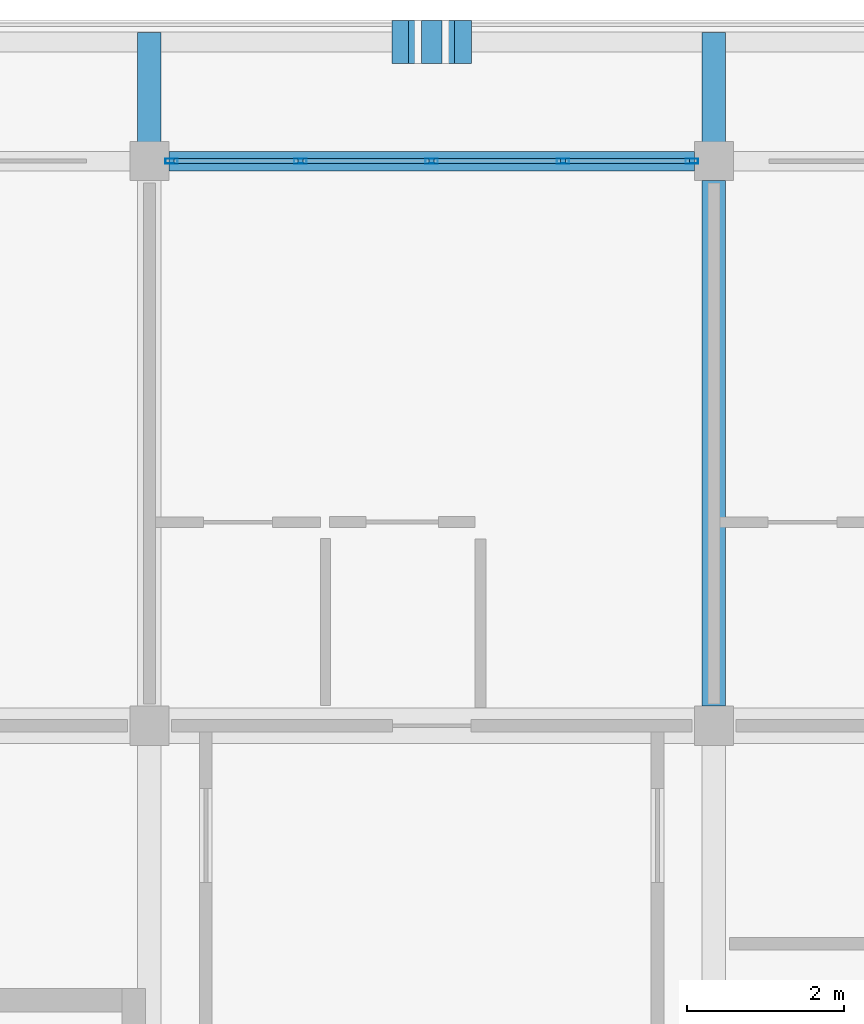
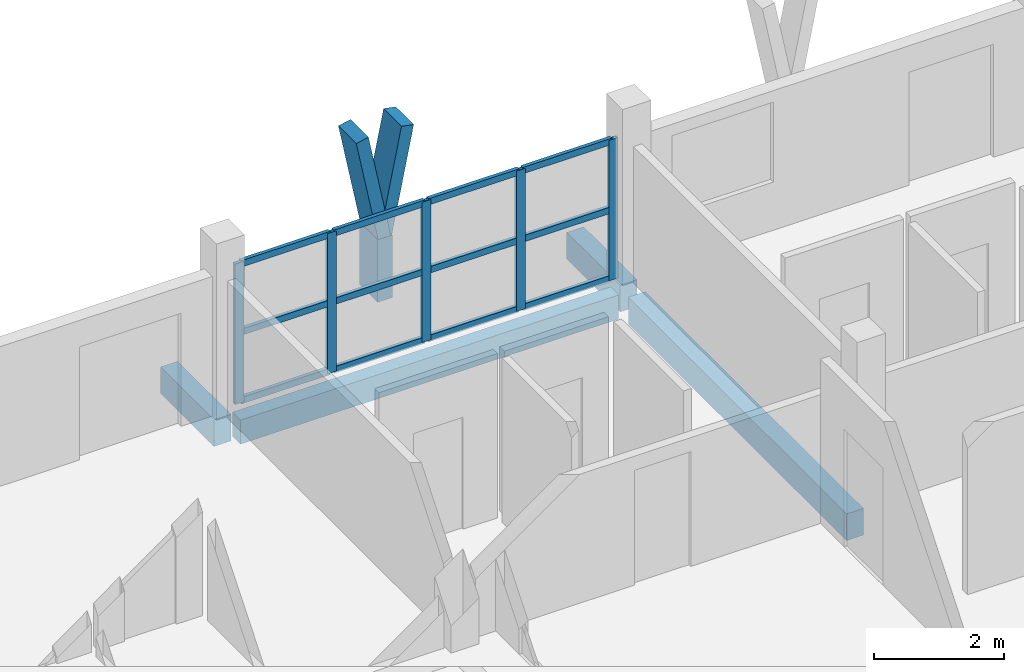
# One storey, part 9 of 19: 20 members, 4 beams, 1 element without a shape of its own.
"""IFC4 building model written with IfcOpenShell, lengths in metres."""

from ifc_helpers import new_model, si_unit, direction, frame, origin, origin_2d, place, context, subcontext, project, spatial, rectangle, hollow_rectangle, extrude, material, material_profile, profile_set, type_object, element, aggregate, save


model = new_model("IFC4")

# Units and contexts
model_context = context("Model", 3, precision=1e-05, world=origin(), true_north=direction((0.0, 1.0)))
body_context = subcontext(model_context, "Body", "Model", "MODEL_VIEW")
ifc_project = project(units=[si_unit("LENGTHUNIT", "METRE"), si_unit("AREAUNIT", "SQUARE_METRE"), si_unit("VOLUMEUNIT", "CUBIC_METRE"), si_unit("PLANEANGLEUNIT", "RADIAN"), si_unit("MASSUNIT", "GRAM", prefix="KILO")], contexts=[model_context])

# Site, building, storey
site_placement = place(None, origin())
site = spatial("IfcSite", under=ifc_project, at=site_placement, CompositionType="ELEMENT")
building_placement = place(site_placement, origin())
building = spatial("IfcBuilding", under=site, at=building_placement, Name="Suanplinth Sawtooth Commons", CompositionType="ELEMENT")
storey_placement = place(building_placement, frame((0.0, 0.0, 44.39990234375)))
storey = spatial("IfcBuildingStorey", under=building, at=storey_placement, Name="L13", CompositionType="ELEMENT", Elevation=44.39990234375)

# Beams
ifc_material_1 = material(Name="Precast concrete C40/50", Category="concrete")
ifc_material_profile_1 = material_profile(ifc_material_1, rectangle(XDim=0.300048828125, YDim=0.5, at=origin_2d()), Name="PC-BM 300x500")
ifc_profile_set_1 = profile_set([ifc_material_profile_1], Name="Precast concrete C40/50")
beam_type_1 = type_object("IfcBeamType", Name="B-07", PredefinedType="BEAM", material=ifc_profile_set_1)
beam_1_placement = place(storey_placement, frame((72.0, 115.449951171875, -0.5), z_axis=(0.0, 1.0, 0.0), x_axis=(-1.0, 0.0, 0.0)))
element("IfcBeam", 1, at=beam_1_placement, inside=storey, type_object=beam_type_1, Name="BMY-L13-A-10-16", PredefinedType="BEAM", context=body_context, shape_type="SweptSolid", body=[
    extrude(rectangle(XDim=0.300048828125, YDim=0.5, at=origin_2d()), origin(), (0.0, 0.0, 1.0), 6.699951171875),
])
for number, where, z_axis, x_axis, name in (
    (2, (64.800048828125, 122.39990234375, -0.429931640625), (0.0, 1.0, 0.0), (-1.0, 0.0, 0.0), "Balcony Outrigger L13-A-N-9"),
    (3, (72.0, 122.39990234375, -0.429931640625), (0.0, 1.0, 0.0), (-1.0, 0.0, 0.0), "Balcony Outrigger L13-A-N-10"),
):
    element("IfcBeam", number, at=place(storey_placement, frame(where, z_axis=z_axis, x_axis=x_axis)), inside=storey, type_object=beam_type_1, Name=name, PredefinedType="BEAM", context=body_context, shape_type="SweptSolid", body=[
        extrude(rectangle(XDim=0.300048828125, YDim=0.5, at=origin_2d()), origin(), (0.0, 0.0, 1.0), 1.64013671875),
    ])
ifc_material_profile_2 = material_profile(ifc_material_1, rectangle(XDim=0.25, YDim=0.449951171875, at=origin_2d()), Name="PC-SP 250x450")
ifc_profile_set_2 = profile_set([ifc_material_profile_2], Name="Precast concrete C40/50")
beam_type_2 = type_object("IfcBeamType", Name="B-09", PredefinedType="SPANDREL", material=ifc_profile_set_2)
beam_2_placement = place(storey_placement, frame((65.050048828125, 122.39990234375, -0.474853515625), z_axis=(1.0, 0.0, 0.0), x_axis=(0.0, 1.0, 0.0)))
element("IfcBeam", 4, at=beam_2_placement, inside=storey, type_object=beam_type_2, Name="BMX-L13-A-9-17", PredefinedType="SPANDREL", context=body_context, shape_type="SweptSolid", body=[
    extrude(rectangle(XDim=0.25, YDim=0.449951171875, at=origin_2d()), origin(), (0.0, 0.0, 1.0), 6.699951171875),
])

# Members
ifc_material_2 = material(Name="Pigmented precast concrete C40/50", Category="concrete")
ifc_material_profile_3 = material_profile(ifc_material_2, rectangle(XDim=0.260009765625, YDim=0.550048828125, at=origin_2d()), Name="PC-FIN 260x550")
ifc_profile_set_3 = profile_set([ifc_material_profile_3], Name="Pigmented precast concrete C40/50")
member_type_1 = type_object("IfcMemberType", Name="M-09", PredefinedType="USERDEFINED", material=ifc_profile_set_3)
member_1_placement = place(storey_placement, frame((68.39990234375, 123.919921875, 0.0), z_axis=(0.0, 0.0, 1.0), x_axis=(1.0, 0.0, 0.0)))
element("IfcMember", 5, at=member_1_placement, inside=storey, type_object=member_type_1, Name="Y-Blade Stem L13-A-N-02", ObjectType="SHADING FIN", PredefinedType="USERDEFINED", context=body_context, shape_type="SweptSolid", body=[
    extrude(rectangle(XDim=0.260009765625, YDim=0.550048828125, at=origin_2d()), origin(), (0.0, 0.0, 1.0), 1.170166015625),
])
ifc_material_profile_4 = material_profile(ifc_material_2, rectangle(XDim=0.219970703125, YDim=0.550048828125, at=origin_2d()), Name="PC-FIN 220x550")
ifc_profile_set_4 = profile_set([ifc_material_profile_4], Name="Pigmented precast concrete C40/50")
member_type_2 = type_object("IfcMemberType", Name="M-10", PredefinedType="USERDEFINED", material=ifc_profile_set_4)
for number, where, z_axis, x_axis, name in (
    (6, (68.39990234375, 123.919921875, 1.130126953125), (-0.196415357203, 0.0, 0.980520783795), (0.980520783795, 0.0, 0.196415357203), "Y-Blade Arm L L13-A-N-02"),
    (7, (68.39990234375, 123.919921875, 1.130126953125), (0.196530428008, 0.0, 0.98049772609), (-0.98049772609, 0.0, 0.196530428008), "Y-Blade Arm R L13-A-N-02"),
):
    element("IfcMember", number, at=place(storey_placement, frame(where, z_axis=z_axis, x_axis=x_axis)), inside=storey, type_object=member_type_2, Name=name, ObjectType="SHADING FIN", PredefinedType="USERDEFINED", context=body_context, shape_type="SweptSolid", body=[
        extrude(rectangle(XDim=0.219970703125, YDim=0.550048828125, at=origin_2d()), origin(), (0.0, 0.0, 1.0), 2.039794921875),
    ])

# Curtain wall, members
ifc_material_3 = material(Name="Anodized aluminium and low-E glazing", Category="aluminium")
curtain_wall_type = type_object("IfcCurtainWallType", Name="CW-06", PredefinedType="USERDEFINED", material=ifc_material_3)
curtain_wall_placement = place(storey_placement, origin())
curtain_wall = element("IfcCurtainWall", 8, at=curtain_wall_placement, inside=storey, type_object=curtain_wall_type, Name="Curtain Wall CW-L13-A-LOUNGE-5", ObjectType="CURTAIN WALL", PredefinedType="USERDEFINED")
ifc_material_4 = material(Name="Anodized aluminium 6063-T6", Category="aluminium")
ifc_material_profile_5 = material_profile(ifc_material_4, hollow_rectangle(XDim=0.06494140625, YDim=0.159912109375, WallThickness=0.00390625, at=origin_2d()), Name="ALU-MUL 65x160")
ifc_profile_set_5 = profile_set([ifc_material_profile_5], Name="Anodized aluminium 6063-T6")
member_type_3 = type_object("IfcMemberType", Name="M-13", PredefinedType="MULLION", material=ifc_profile_set_5)
member_2_placement = place(storey_placement, frame((65.08251953125, 122.39990234375, 0.0), z_axis=(0.0, 0.0, 1.0), x_axis=(0.0, 1.0, 0.0)))
member_2 = element("IfcMember", 9, at=member_2_placement, type_object=member_type_3, Name="CW-06 mullion 1", PredefinedType="MULLION", context=body_context, shape_type="SweptSolid", body=[
    extrude(hollow_rectangle(XDim=0.06494140625, YDim=0.159912109375, WallThickness=0.00390625, at=origin_2d()), origin(), (0.0, 0.0, 1.0), 2.630126953125),
])
member_3_placement = place(storey_placement, frame((66.72509765625, 122.39990234375, 0.0), z_axis=(0.0, 0.0, 1.0), x_axis=(0.0, 1.0, 0.0)))
member_3 = element("IfcMember", 10, at=member_3_placement, type_object=member_type_3, Name="CW-06 mullion 2", PredefinedType="MULLION", context=body_context, shape_type="SweptSolid", body=[
    extrude(hollow_rectangle(XDim=0.06494140625, YDim=0.159912109375, WallThickness=0.00390625, at=origin_2d()), origin(), (0.0, 0.0, 1.0), 2.630126953125),
])
member_4_placement = place(storey_placement, frame((68.39990234375, 122.39990234375, 0.0), z_axis=(0.0, 0.0, 1.0), x_axis=(0.0, 1.0, 0.0)))
member_4 = element("IfcMember", 11, at=member_4_placement, type_object=member_type_3, Name="CW-06 mullion 3", PredefinedType="MULLION", context=body_context, shape_type="SweptSolid", body=[
    extrude(hollow_rectangle(XDim=0.06494140625, YDim=0.159912109375, WallThickness=0.00390625, at=origin_2d()), origin(), (0.0, 0.0, 1.0), 2.630126953125),
])
member_5_placement = place(storey_placement, frame((70.074951171875, 122.39990234375, 0.0), z_axis=(0.0, 0.0, 1.0), x_axis=(0.0, 1.0, 0.0)))
member_5 = element("IfcMember", 12, at=member_5_placement, type_object=member_type_3, Name="CW-06 mullion 4", PredefinedType="MULLION", context=body_context, shape_type="SweptSolid", body=[
    extrude(hollow_rectangle(XDim=0.06494140625, YDim=0.159912109375, WallThickness=0.00390625, at=origin_2d()), origin(), (0.0, 0.0, 1.0), 2.630126953125),
])
member_6_placement = place(storey_placement, frame((71.717529296875, 122.39990234375, 0.0), z_axis=(0.0, 0.0, 1.0), x_axis=(0.0, 1.0, 0.0)))
member_6 = element("IfcMember", 13, at=member_6_placement, type_object=member_type_3, Name="CW-06 mullion 5", PredefinedType="MULLION", context=body_context, shape_type="SweptSolid", body=[
    extrude(hollow_rectangle(XDim=0.06494140625, YDim=0.159912109375, WallThickness=0.00390625, at=origin_2d()), origin(), (0.0, 0.0, 1.0), 2.630126953125),
])
ifc_material_profile_6 = material_profile(ifc_material_4, hollow_rectangle(XDim=0.06494140625, YDim=0.1201171875, WallThickness=0.00390625, at=origin_2d()), Name="ALU-TRN 65x120")
ifc_profile_set_6 = profile_set([ifc_material_profile_6], Name="Anodized aluminium 6063-T6")
member_type_4 = type_object("IfcMemberType", Name="M-15", PredefinedType="USERDEFINED", material=ifc_profile_set_6)
member_7_placement = place(storey_placement, frame((65.114990234375, 122.39990234375, 0.03271484375), z_axis=(1.0, 0.0, 0.0), x_axis=(0.0, 1.0, 0.0)))
member_7 = element("IfcMember", 14, at=member_7_placement, type_object=member_type_4, Name="CW-06 transom 1.1", ObjectType="TRANSOM", PredefinedType="USERDEFINED", context=body_context, shape_type="SweptSolid", body=[
    extrude(hollow_rectangle(XDim=0.06494140625, YDim=0.1201171875, WallThickness=0.00390625, at=origin_2d()), origin(), (0.0, 0.0, 1.0), 1.577392578125),
])
member_8_placement = place(storey_placement, frame((65.114990234375, 122.39990234375, 1.315185546875), z_axis=(1.0, 0.0, 0.0), x_axis=(0.0, 1.0, 0.0)))
member_8 = element("IfcMember", 15, at=member_8_placement, type_object=member_type_4, Name="CW-06 transom 1.2", ObjectType="TRANSOM", PredefinedType="USERDEFINED", context=body_context, shape_type="SweptSolid", body=[
    extrude(hollow_rectangle(XDim=0.06494140625, YDim=0.1201171875, WallThickness=0.00390625, at=origin_2d()), origin(), (0.0, 0.0, 1.0), 1.577392578125),
])
member_9_placement = place(storey_placement, frame((65.114990234375, 122.39990234375, 2.59765625), z_axis=(1.0, 0.0, 0.0), x_axis=(0.0, 1.0, 0.0)))
member_9 = element("IfcMember", 16, at=member_9_placement, type_object=member_type_4, Name="CW-06 transom 1.3", ObjectType="TRANSOM", PredefinedType="USERDEFINED", context=body_context, shape_type="SweptSolid", body=[
    extrude(hollow_rectangle(XDim=0.06494140625, YDim=0.1201171875, WallThickness=0.00390625, at=origin_2d()), origin(), (0.0, 0.0, 1.0), 1.577392578125),
])
member_10_placement = place(storey_placement, frame((66.757568359375, 122.39990234375, 0.03271484375), z_axis=(1.0, 0.0, 0.0), x_axis=(0.0, 1.0, 0.0)))
member_10 = element("IfcMember", 17, at=member_10_placement, type_object=member_type_4, Name="CW-06 transom 2.1", ObjectType="TRANSOM", PredefinedType="USERDEFINED", context=body_context, shape_type="SweptSolid", body=[
    extrude(hollow_rectangle(XDim=0.06494140625, YDim=0.1201171875, WallThickness=0.00390625, at=origin_2d()), origin(), (0.0, 0.0, 1.0), 1.60986328125),
])
member_11_placement = place(storey_placement, frame((66.757568359375, 122.39990234375, 1.315185546875), z_axis=(1.0, 0.0, 0.0), x_axis=(0.0, 1.0, 0.0)))
member_11 = element("IfcMember", 18, at=member_11_placement, type_object=member_type_4, Name="CW-06 transom 2.2", ObjectType="TRANSOM", PredefinedType="USERDEFINED", context=body_context, shape_type="SweptSolid", body=[
    extrude(hollow_rectangle(XDim=0.06494140625, YDim=0.1201171875, WallThickness=0.00390625, at=origin_2d()), origin(), (0.0, 0.0, 1.0), 1.60986328125),
])
member_12_placement = place(storey_placement, frame((66.757568359375, 122.39990234375, 2.59765625), z_axis=(1.0, 0.0, 0.0), x_axis=(0.0, 1.0, 0.0)))
member_12 = element("IfcMember", 19, at=member_12_placement, type_object=member_type_4, Name="CW-06 transom 2.3", ObjectType="TRANSOM", PredefinedType="USERDEFINED", context=body_context, shape_type="SweptSolid", body=[
    extrude(hollow_rectangle(XDim=0.06494140625, YDim=0.1201171875, WallThickness=0.00390625, at=origin_2d()), origin(), (0.0, 0.0, 1.0), 1.60986328125),
])
member_13_placement = place(storey_placement, frame((68.4326171875, 122.39990234375, 0.03271484375), z_axis=(1.0, 0.0, 0.0), x_axis=(0.0, 1.0, 0.0)))
member_13 = element("IfcMember", 20, at=member_13_placement, type_object=member_type_4, Name="CW-06 transom 3.1", ObjectType="TRANSOM", PredefinedType="USERDEFINED", context=body_context, shape_type="SweptSolid", body=[
    extrude(hollow_rectangle(XDim=0.06494140625, YDim=0.1201171875, WallThickness=0.00390625, at=origin_2d()), origin(), (0.0, 0.0, 1.0), 1.60986328125),
])
member_14_placement = place(storey_placement, frame((68.4326171875, 122.39990234375, 1.315185546875), z_axis=(1.0, 0.0, 0.0), x_axis=(0.0, 1.0, 0.0)))
member_14 = element("IfcMember", 21, at=member_14_placement, type_object=member_type_4, Name="CW-06 transom 3.2", ObjectType="TRANSOM", PredefinedType="USERDEFINED", context=body_context, shape_type="SweptSolid", body=[
    extrude(hollow_rectangle(XDim=0.06494140625, YDim=0.1201171875, WallThickness=0.00390625, at=origin_2d()), origin(), (0.0, 0.0, 1.0), 1.60986328125),
])
member_15_placement = place(storey_placement, frame((68.4326171875, 122.39990234375, 2.59765625), z_axis=(1.0, 0.0, 0.0), x_axis=(0.0, 1.0, 0.0)))
member_15 = element("IfcMember", 22, at=member_15_placement, type_object=member_type_4, Name="CW-06 transom 3.3", ObjectType="TRANSOM", PredefinedType="USERDEFINED", context=body_context, shape_type="SweptSolid", body=[
    extrude(hollow_rectangle(XDim=0.06494140625, YDim=0.1201171875, WallThickness=0.00390625, at=origin_2d()), origin(), (0.0, 0.0, 1.0), 1.60986328125),
])
member_16_placement = place(storey_placement, frame((70.107421875, 122.39990234375, 0.03271484375), z_axis=(1.0, 0.0, 0.0), x_axis=(0.0, 1.0, 0.0)))
member_16 = element("IfcMember", 23, at=member_16_placement, type_object=member_type_4, Name="CW-06 transom 4.1", ObjectType="TRANSOM", PredefinedType="USERDEFINED", context=body_context, shape_type="SweptSolid", body=[
    extrude(hollow_rectangle(XDim=0.06494140625, YDim=0.1201171875, WallThickness=0.00390625, at=origin_2d()), origin(), (0.0, 0.0, 1.0), 1.57763671875),
])
member_17_placement = place(storey_placement, frame((70.107421875, 122.39990234375, 1.315185546875), z_axis=(1.0, 0.0, 0.0), x_axis=(0.0, 1.0, 0.0)))
member_17 = element("IfcMember", 24, at=member_17_placement, type_object=member_type_4, Name="CW-06 transom 4.2", ObjectType="TRANSOM", PredefinedType="USERDEFINED", context=body_context, shape_type="SweptSolid", body=[
    extrude(hollow_rectangle(XDim=0.06494140625, YDim=0.1201171875, WallThickness=0.00390625, at=origin_2d()), origin(), (0.0, 0.0, 1.0), 1.57763671875),
])
member_18_placement = place(storey_placement, frame((70.107421875, 122.39990234375, 2.59765625), z_axis=(1.0, 0.0, 0.0), x_axis=(0.0, 1.0, 0.0)))
member_18 = element("IfcMember", 25, at=member_18_placement, type_object=member_type_4, Name="CW-06 transom 4.3", ObjectType="TRANSOM", PredefinedType="USERDEFINED", context=body_context, shape_type="SweptSolid", body=[
    extrude(hollow_rectangle(XDim=0.06494140625, YDim=0.1201171875, WallThickness=0.00390625, at=origin_2d()), origin(), (0.0, 0.0, 1.0), 1.57763671875),
])
aggregate(curtain_wall, [member_2, member_3, member_4, member_5, member_6, member_7, member_8, member_9, member_10, member_11, member_12, member_13, member_14, member_15, member_16, member_17, member_18])

save(model, "model.ifc")
